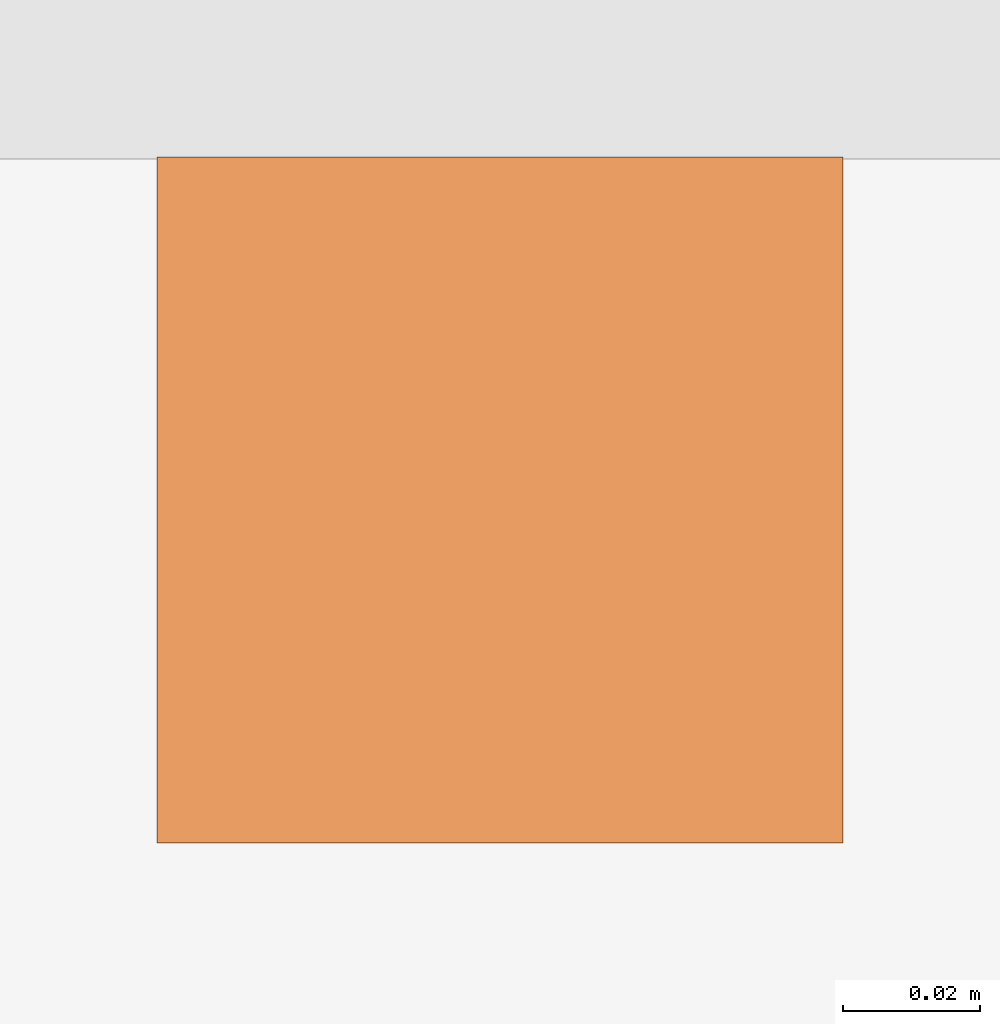
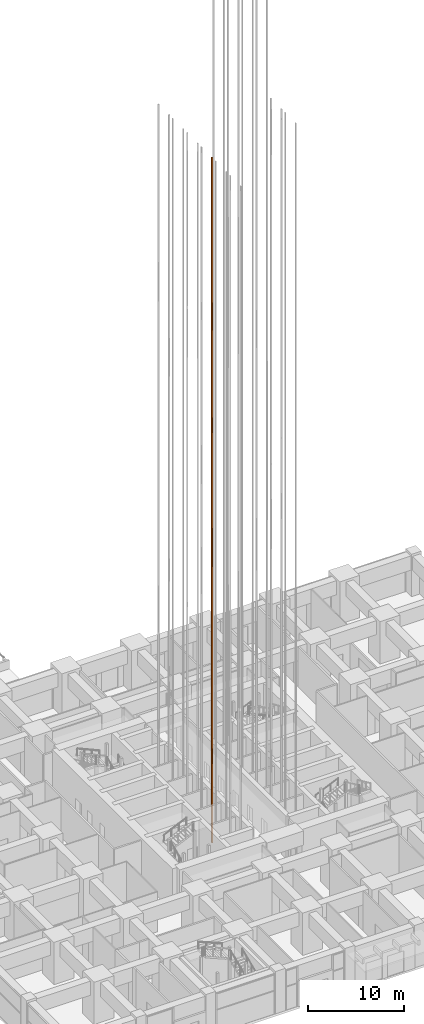
# One storey, part 66 of 81: 1 proxy.
"""IFC4 building model written with IfcOpenShell, lengths in metres."""

import ifcopenshell
import ifcopenshell.guid

model = None  # the IFC model being written
_history = None  # IfcOwnerHistory: only IFC2X3 demands one
_inside = {}  # id of a spatial element -> (the spatial element, [elements in it])
_under = {}  # id of a project, library or spatial element -> (it, [spatial elements below it])
_declared = {}  # id of a project -> (the project, [libraries it declares])
_typed = {}  # id of a type object -> (the type object, [elements of that type])
_made_of = {}  # id of a material, layer set ... -> (it, [elements and type objects made of it])


def new_model(schema):
    """Start an empty IFC model of exactly this schema.

    Asked for "IFC4X3", IfcOpenShell would pick the latest addendum, in which some entities
    have other attributes; the version numbers below select the first issue.
    IFC2X3 requires an IfcOwnerHistory on every rooted entity: one is made here for all.
    """
    global model, _history
    if schema == "IFC4X3":
        model = ifcopenshell.file(schema_version=(4, 3, 0, 0))
    else:
        model = ifcopenshell.file(schema=schema)
    _inside.clear()
    _under.clear()
    _declared.clear()
    _typed.clear()
    _made_of.clear()
    _history = None
    if model.schema == "IFC2X3":
        org = make("IfcOrganization", Name="unknown")
        user = make(
            "IfcPersonAndOrganization",
            ThePerson=make("IfcPerson", FamilyName="unknown"),
            TheOrganization=org,
        )
        app = make(
            "IfcApplication",
            ApplicationDeveloper=org,
            Version="unknown",
            ApplicationFullName="unknown",
            ApplicationIdentifier="unknown",
        )
        _history = make(
            "IfcOwnerHistory",
            OwningUser=user,
            OwningApplication=app,
            ChangeAction="ADDED",
            CreationDate=0,
        )
    return model


def make(cls, **values):
    """One entity of the class cls with the attributes given. An attribute that is None is left unset."""
    return model.create_entity(
        cls, **{name: value for name, value in values.items() if value is not None}
    )


def rooted(cls, **values):
    """An entity with a GlobalId (a new one), such as an element, a storey or a relation."""
    return make(cls, GlobalId=ifcopenshell.guid.new(), OwnerHistory=_history, **values)


def si_unit(unit_type, name, prefix=None):
    """IfcSIUnit, for example si_unit("LENGTHUNIT", "METRE", prefix="MILLI")."""
    return make("IfcSIUnit", UnitType=unit_type, Prefix=prefix, Name=name)


def assignment(units):
    """IfcUnitAssignment: the units of a project."""
    return None if units is None else make("IfcUnitAssignment", Units=units)


def point(xyz):
    """IfcCartesianPoint."""
    return None if xyz is None else make("IfcCartesianPoint", Coordinates=xyz)


def direction(xyz):
    """IfcDirection."""
    return None if xyz is None else make("IfcDirection", DirectionRatios=xyz)


def frame(location, z_axis=None, x_axis=None):
    """IfcAxis2Placement3D, a coordinate frame: its origin and axes. An axis left out is left unset."""
    return make(
        "IfcAxis2Placement3D",
        Location=point(location),
        Axis=direction(z_axis),
        RefDirection=direction(x_axis),
    )


def frame_2d(location, x_axis=None):
    """IfcAxis2Placement2D, a coordinate frame in the plane: its origin and x axis."""
    return make(
        "IfcAxis2Placement2D", Location=point(location), RefDirection=direction(x_axis)
    )


def origin():
    """The frame at (0, 0, 0) with its axes left unset."""
    return frame((0.0, 0.0, 0.0))


def origin_2d():
    """The frame at (0, 0) in the plane with its x axis left unset."""
    return frame_2d((0.0, 0.0))


def place(relative_to, where):
    """IfcLocalPlacement: puts the frame where relative to a parent placement (None: the world)."""
    return make(
        "IfcLocalPlacement", PlacementRelTo=relative_to, RelativePlacement=where
    )


def context(
    kind, dimensions, precision=None, world=None, true_north=None, identifier=None
):
    """IfcGeometricRepresentationContext, for example the 3D "Model" context."""
    return make(
        "IfcGeometricRepresentationContext",
        ContextIdentifier=identifier,
        ContextType=kind,
        CoordinateSpaceDimension=dimensions,
        Precision=precision,
        WorldCoordinateSystem=world,
        TrueNorth=true_north,
    )


def subcontext(parent, identifier, kind, view, scale=None):
    """IfcGeometricRepresentationSubContext, for example "Body" below "Model"."""
    return make(
        "IfcGeometricRepresentationSubContext",
        ContextIdentifier=identifier,
        ContextType=kind,
        ParentContext=parent,
        TargetScale=scale,
        TargetView=view,
    )


def project(units=None, contexts=None):
    """IfcProject with its units and contexts."""
    return rooted(
        "IfcProject",
        Name="project",
        RepresentationContexts=contexts,
        UnitsInContext=assignment(units),
    )


def spatial(cls, under=None, at=None, **own):
    """A site, building, storey or space (cls), placed at a placement, below another one or the project."""
    s = rooted(cls, ObjectPlacement=at, **own)
    if under is not None:
        _under.setdefault(under.id(), (under, []))[1].append(s)
    return s


def profile(cls, at=None, kind="AREA", **sizes):
    """A parametric profile (cls). Its sizes go by their IFC names, for example OverallWidth=200.0."""
    return make(cls, ProfileType=kind, Position=at, **sizes)


def rectangle(**sizes):
    """IfcRectangleProfileDef."""
    return profile("IfcRectangleProfileDef", **sizes)


def extrude(swept, where, along, depth):
    """IfcExtrudedAreaSolid: the profile swept, set in the frame where, extruded along a direction by depth."""
    return make(
        "IfcExtrudedAreaSolid",
        SweptArea=swept,
        Position=where,
        ExtrudedDirection=direction(along),
        Depth=depth,
    )


def shape(context_of_items, identifier, shape_type, items):
    """IfcShapeRepresentation: the items that make up one representation, for example the "Body"."""
    return make(
        "IfcShapeRepresentation",
        ContextOfItems=context_of_items,
        RepresentationIdentifier=identifier,
        RepresentationType=shape_type,
        Items=items,
    )


def material(Name=None, Category=None):
    """IfcMaterial."""
    return make("IfcMaterial", Name=Name, Category=Category)


def made_of(thing, what):
    """Note that an element or type object is made of a material, layer set ...; save() writes the relation."""
    if what is not None:
        _made_of.setdefault(what.id(), (what, []))[1].append(thing)
    return thing


def type_object(cls, material=None, **own):
    """A type object (cls), such as IfcWallType, which elements share."""
    return made_of(rooted(cls, **own), material)


def element(
    cls,
    number,
    at=None,
    inside=None,
    cuts=None,
    type_object=None,
    material=None,
    context=None,
    identifier="Body",
    shape_type=None,
    held_by="IfcProductDefinitionShape",
    body=None,
    shapes=None,
    **own,
):
    """One element of the class cls, such as IfcWall. Its Tag is "e" and its number.

    at: its placement. inside: the storey or other place that contains it. cuts: it is an
    opening in that element (IfcRelVoidsElement). A single representation is given by context,
    identifier, shape_type and body (its items); several are given by shapes. held_by: the class
    of the entity that holds the representations. save() writes the other relations.
    """
    e = rooted(cls, Tag="e%d" % number, ObjectPlacement=at, **own)
    if body is not None:
        shapes = [shape(context, identifier, shape_type, body)]
    if shapes is not None:
        e.Representation = make(held_by, Representations=shapes)
    if inside is not None:
        _inside.setdefault(inside.id(), (inside, []))[1].append(e)
    if cuts is not None:
        rooted(
            "IfcRelVoidsElement", RelatingBuildingElement=cuts, RelatedOpeningElement=e
        )
    if type_object is not None:
        _typed.setdefault(type_object.id(), (type_object, []))[1].append(e)
    return made_of(e, material)


def aggregate(whole, parts):
    """IfcRelAggregates: a whole, such as a stair, and the parts it consists of."""
    return rooted("IfcRelAggregates", RelatingObject=whole, RelatedObjects=parts)


def save(model, path):
    """Write the relations noted so far, then the file.

    IfcRelAggregates (storeys below a building ...), IfcRelContainedInSpatialStructure (elements
    in a storey), IfcRelDefinesByType, IfcRelAssociatesMaterial and IfcRelDeclares: one each for
    every whole, place, type object, material and project.
    """
    for whole, parts in _under.values():
        aggregate(whole, parts)
    for where, things in _inside.values():
        rooted(
            "IfcRelContainedInSpatialStructure",
            RelatedElements=things,
            RelatingStructure=where,
        )
    for kind, things in _typed.values():
        rooted("IfcRelDefinesByType", RelatedObjects=things, RelatingType=kind)
    for what, things in _made_of.values():
        rooted("IfcRelAssociatesMaterial", RelatedObjects=things, RelatingMaterial=what)
    for by, libraries in _declared.values():
        rooted("IfcRelDeclares", RelatingContext=by, RelatedDefinitions=libraries)
    model.write(path)


model = new_model("IFC4")

# Units and contexts
model_context = context("Model", 3, precision=1e-05, world=origin(), true_north=direction((0.0, 1.0)))
body_context = subcontext(model_context, "Body", "Model", "MODEL_VIEW")
ifc_project = project(units=[si_unit("LENGTHUNIT", "METRE"), si_unit("AREAUNIT", "SQUARE_METRE"), si_unit("VOLUMEUNIT", "CUBIC_METRE"), si_unit("PLANEANGLEUNIT", "RADIAN"), si_unit("MASSUNIT", "GRAM", prefix="KILO")], contexts=[model_context])

# Site, building, storey
site_placement = place(None, origin())
site = spatial("IfcSite", under=ifc_project, at=site_placement, CompositionType="ELEMENT")
building_placement = place(site_placement, origin())
building = spatial("IfcBuilding", under=site, at=building_placement, Name="Rekha Terrace Tower", CompositionType="ELEMENT")
storey_placement = place(building_placement, origin())
storey = spatial("IfcBuildingStorey", under=building, at=storey_placement, Name="L00", CompositionType="ELEMENT", Elevation=0.0)

# Proxy
ifc_material = material(Name="Steel guide rail", Category="steel")
building_element_proxy_type = type_object("IfcBuildingElementProxyType", Name="LR1 100 lift guide rail", PredefinedType="ELEMENT", material=ifc_material)
proxy_placement = place(storey_placement, frame((34.5, 29.800048828125, 0.0), z_axis=(0.0, 0.0, 1.0), x_axis=(1.0, 0.0, 0.0)))
element("IfcBuildingElementProxy", 1, at=proxy_placement, inside=storey, type_object=building_element_proxy_type, Name="Lift A3 guide rail 1", PredefinedType="ELEMENT", context=body_context, shape_type="SweptSolid", body=[
    extrude(rectangle(XDim=0.10009765625, YDim=0.10009765625, at=origin_2d()), origin(), (0.0, 0.0, 1.0), 87.5),
])

save(model, "model.ifc")
